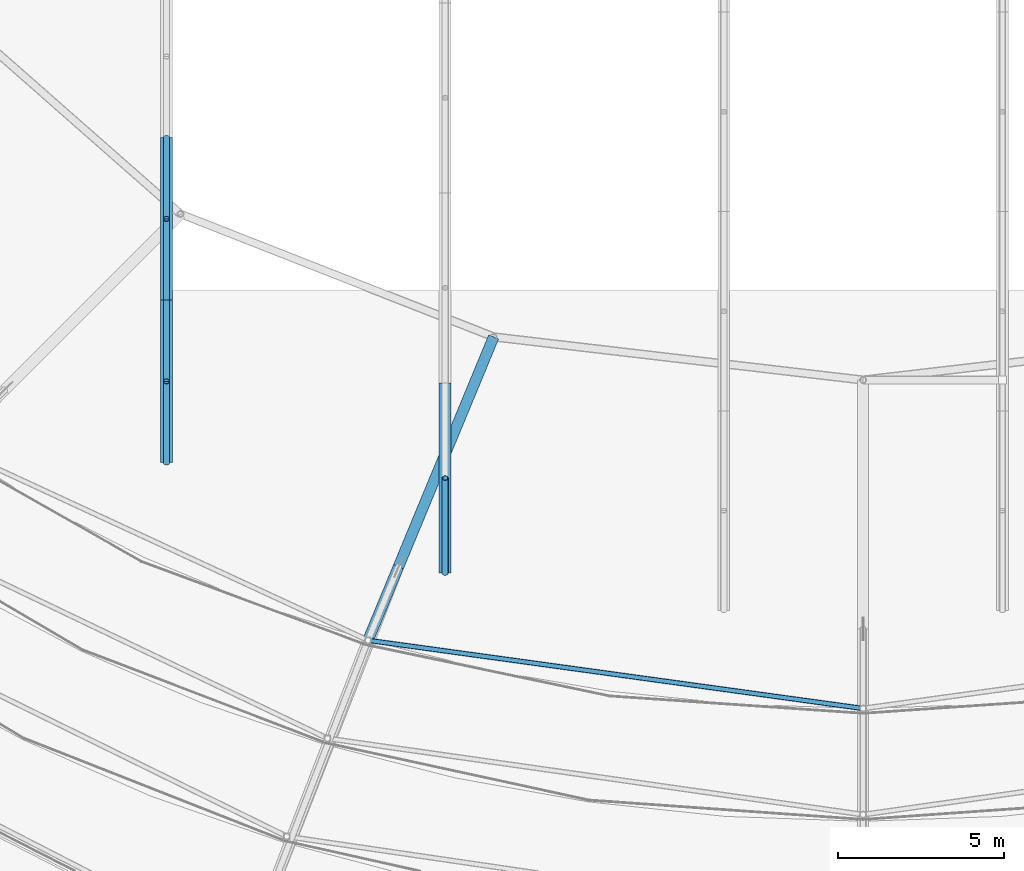
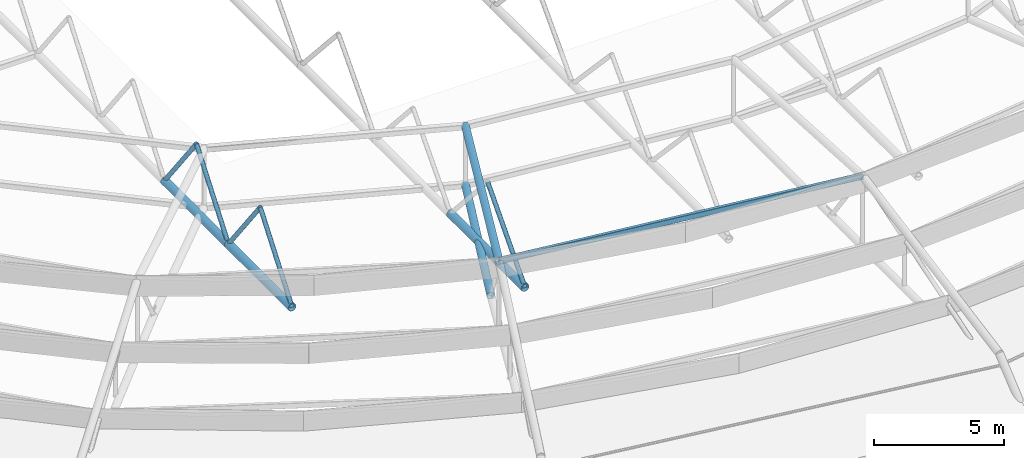
# One storey, part 13 of 134: 10 members, 1 beam.
"""IFC4 building model written with IfcOpenShell, lengths in metres."""

import ifcopenshell
import ifcopenshell.guid

model = None  # the IFC model being written
_history = None  # IfcOwnerHistory: only IFC2X3 demands one
_inside = {}  # id of a spatial element -> (the spatial element, [elements in it])
_under = {}  # id of a project, library or spatial element -> (it, [spatial elements below it])
_declared = {}  # id of a project -> (the project, [libraries it declares])
_typed = {}  # id of a type object -> (the type object, [elements of that type])
_made_of = {}  # id of a material, layer set ... -> (it, [elements and type objects made of it])


def new_model(schema):
    """Start an empty IFC model of exactly this schema.

    Asked for "IFC4X3", IfcOpenShell would pick the latest addendum, in which some entities
    have other attributes; the version numbers below select the first issue.
    IFC2X3 requires an IfcOwnerHistory on every rooted entity: one is made here for all.
    """
    global model, _history
    if schema == "IFC4X3":
        model = ifcopenshell.file(schema_version=(4, 3, 0, 0))
    else:
        model = ifcopenshell.file(schema=schema)
    _inside.clear()
    _under.clear()
    _declared.clear()
    _typed.clear()
    _made_of.clear()
    _history = None
    if model.schema == "IFC2X3":
        org = make("IfcOrganization", Name="unknown")
        user = make(
            "IfcPersonAndOrganization",
            ThePerson=make("IfcPerson", FamilyName="unknown"),
            TheOrganization=org,
        )
        app = make(
            "IfcApplication",
            ApplicationDeveloper=org,
            Version="unknown",
            ApplicationFullName="unknown",
            ApplicationIdentifier="unknown",
        )
        _history = make(
            "IfcOwnerHistory",
            OwningUser=user,
            OwningApplication=app,
            ChangeAction="ADDED",
            CreationDate=0,
        )
    return model


def make(cls, **values):
    """One entity of the class cls with the attributes given. An attribute that is None is left unset."""
    return model.create_entity(
        cls, **{name: value for name, value in values.items() if value is not None}
    )


def rooted(cls, **values):
    """An entity with a GlobalId (a new one), such as an element, a storey or a relation."""
    return make(cls, GlobalId=ifcopenshell.guid.new(), OwnerHistory=_history, **values)


def si_unit(unit_type, name, prefix=None):
    """IfcSIUnit, for example si_unit("LENGTHUNIT", "METRE", prefix="MILLI")."""
    return make("IfcSIUnit", UnitType=unit_type, Prefix=prefix, Name=name)


def derived_unit(unit_type, elements):
    """IfcDerivedUnit: a product of units, each with its exponent."""
    return make(
        "IfcDerivedUnit",
        Elements=[
            make("IfcDerivedUnitElement", Unit=unit, Exponent=power)
            for unit, power in elements
        ],
        UnitType=unit_type,
    )


def assignment(units):
    """IfcUnitAssignment: the units of a project."""
    return None if units is None else make("IfcUnitAssignment", Units=units)


def point(xyz):
    """IfcCartesianPoint."""
    return None if xyz is None else make("IfcCartesianPoint", Coordinates=xyz)


def direction(xyz):
    """IfcDirection."""
    return None if xyz is None else make("IfcDirection", DirectionRatios=xyz)


def frame(location, z_axis=None, x_axis=None):
    """IfcAxis2Placement3D, a coordinate frame: its origin and axes. An axis left out is left unset."""
    return make(
        "IfcAxis2Placement3D",
        Location=point(location),
        Axis=direction(z_axis),
        RefDirection=direction(x_axis),
    )


def frame_2d(location, x_axis=None):
    """IfcAxis2Placement2D, a coordinate frame in the plane: its origin and x axis."""
    return make(
        "IfcAxis2Placement2D", Location=point(location), RefDirection=direction(x_axis)
    )


def origin():
    """The frame at (0, 0, 0) with its axes left unset."""
    return frame((0.0, 0.0, 0.0))


def origin_2d():
    """The frame at (0, 0) in the plane with its x axis left unset."""
    return frame_2d((0.0, 0.0))


def place(relative_to, where):
    """IfcLocalPlacement: puts the frame where relative to a parent placement (None: the world)."""
    return make(
        "IfcLocalPlacement", PlacementRelTo=relative_to, RelativePlacement=where
    )


def context(
    kind, dimensions, precision=None, world=None, true_north=None, identifier=None
):
    """IfcGeometricRepresentationContext, for example the 3D "Model" context."""
    return make(
        "IfcGeometricRepresentationContext",
        ContextIdentifier=identifier,
        ContextType=kind,
        CoordinateSpaceDimension=dimensions,
        Precision=precision,
        WorldCoordinateSystem=world,
        TrueNorth=true_north,
    )


def subcontext(parent, identifier, kind, view, scale=None):
    """IfcGeometricRepresentationSubContext, for example "Body" below "Model"."""
    return make(
        "IfcGeometricRepresentationSubContext",
        ContextIdentifier=identifier,
        ContextType=kind,
        ParentContext=parent,
        TargetScale=scale,
        TargetView=view,
    )


def project(units=None, contexts=None):
    """IfcProject with its units and contexts."""
    return rooted(
        "IfcProject",
        Name="project",
        RepresentationContexts=contexts,
        UnitsInContext=assignment(units),
    )


def spatial(cls, under=None, at=None, **own):
    """A site, building, storey or space (cls), placed at a placement, below another one or the project."""
    s = rooted(cls, ObjectPlacement=at, **own)
    if under is not None:
        _under.setdefault(under.id(), (under, []))[1].append(s)
    return s


def profile(cls, at=None, kind="AREA", **sizes):
    """A parametric profile (cls). Its sizes go by their IFC names, for example OverallWidth=200.0."""
    return make(cls, ProfileType=kind, Position=at, **sizes)


def hollow_rectangle(**sizes):
    """IfcRectangleHollowProfileDef."""
    return profile("IfcRectangleHollowProfileDef", **sizes)


def hollow_circle(**sizes):
    """IfcCircleHollowProfileDef."""
    return profile("IfcCircleHollowProfileDef", **sizes)


def extrude(swept, where, along, depth):
    """IfcExtrudedAreaSolid: the profile swept, set in the frame where, extruded along a direction by depth."""
    return make(
        "IfcExtrudedAreaSolid",
        SweptArea=swept,
        Position=where,
        ExtrudedDirection=direction(along),
        Depth=depth,
    )


def shape(context_of_items, identifier, shape_type, items):
    """IfcShapeRepresentation: the items that make up one representation, for example the "Body"."""
    return make(
        "IfcShapeRepresentation",
        ContextOfItems=context_of_items,
        RepresentationIdentifier=identifier,
        RepresentationType=shape_type,
        Items=items,
    )


def material(Name=None, Category=None):
    """IfcMaterial."""
    return make("IfcMaterial", Name=Name, Category=Category)


def material_profile(
    of_material, cross_section, Name=None, Category=None, Priority=None
):
    """IfcMaterialProfile: a cross section and its material."""
    return make(
        "IfcMaterialProfile",
        Name=Name,
        Material=of_material,
        Profile=cross_section,
        Priority=Priority,
        Category=Category,
    )


def profile_set(profiles, Name=None, composite=None):
    """IfcMaterialProfileSet."""
    return make(
        "IfcMaterialProfileSet",
        Name=Name,
        MaterialProfiles=profiles,
        CompositeProfile=composite,
    )


def made_of(thing, what):
    """Note that an element or type object is made of a material, layer set ...; save() writes the relation."""
    if what is not None:
        _made_of.setdefault(what.id(), (what, []))[1].append(thing)
    return thing


def type_object(cls, material=None, **own):
    """A type object (cls), such as IfcWallType, which elements share."""
    return made_of(rooted(cls, **own), material)


def element(
    cls,
    number,
    at=None,
    inside=None,
    cuts=None,
    type_object=None,
    material=None,
    context=None,
    identifier="Body",
    shape_type=None,
    held_by="IfcProductDefinitionShape",
    body=None,
    shapes=None,
    **own,
):
    """One element of the class cls, such as IfcWall. Its Tag is "e" and its number.

    at: its placement. inside: the storey or other place that contains it. cuts: it is an
    opening in that element (IfcRelVoidsElement). A single representation is given by context,
    identifier, shape_type and body (its items); several are given by shapes. held_by: the class
    of the entity that holds the representations. save() writes the other relations.
    """
    e = rooted(cls, Tag="e%d" % number, ObjectPlacement=at, **own)
    if body is not None:
        shapes = [shape(context, identifier, shape_type, body)]
    if shapes is not None:
        e.Representation = make(held_by, Representations=shapes)
    if inside is not None:
        _inside.setdefault(inside.id(), (inside, []))[1].append(e)
    if cuts is not None:
        rooted(
            "IfcRelVoidsElement", RelatingBuildingElement=cuts, RelatedOpeningElement=e
        )
    if type_object is not None:
        _typed.setdefault(type_object.id(), (type_object, []))[1].append(e)
    return made_of(e, material)


def aggregate(whole, parts):
    """IfcRelAggregates: a whole, such as a stair, and the parts it consists of."""
    return rooted("IfcRelAggregates", RelatingObject=whole, RelatedObjects=parts)


def save(model, path):
    """Write the relations noted so far, then the file.

    IfcRelAggregates (storeys below a building ...), IfcRelContainedInSpatialStructure (elements
    in a storey), IfcRelDefinesByType, IfcRelAssociatesMaterial and IfcRelDeclares: one each for
    every whole, place, type object, material and project.
    """
    for whole, parts in _under.values():
        aggregate(whole, parts)
    for where, things in _inside.values():
        rooted(
            "IfcRelContainedInSpatialStructure",
            RelatedElements=things,
            RelatingStructure=where,
        )
    for kind, things in _typed.values():
        rooted("IfcRelDefinesByType", RelatedObjects=things, RelatingType=kind)
    for what, things in _made_of.values():
        rooted("IfcRelAssociatesMaterial", RelatedObjects=things, RelatingMaterial=what)
    for by, libraries in _declared.values():
        rooted("IfcRelDeclares", RelatingContext=by, RelatedDefinitions=libraries)
    model.write(path)


model = new_model("IFC4")

# Units and contexts
model_context = context("Model", 3, precision=1e-05, world=origin(), true_north=direction((0.0, 1.0)))
body_context = subcontext(model_context, "Body", "Model", "MODEL_VIEW")
ifc_project = project(units=[si_unit("LENGTHUNIT", "METRE"), si_unit("AREAUNIT", "SQUARE_METRE"), si_unit("VOLUMEUNIT", "CUBIC_METRE"), si_unit("PLANEANGLEUNIT", "RADIAN"), si_unit("MASSUNIT", "GRAM", prefix="KILO"), derived_unit("THERMALTRANSMITTANCEUNIT", [(si_unit("MASSUNIT", "GRAM", prefix="KILO"), 1), (si_unit("TIMEUNIT", "SECOND"), -3), (si_unit("THERMODYNAMICTEMPERATUREUNIT", "KELVIN"), -1)])], contexts=[model_context])

# Site, building, storey
site_placement = place(None, origin())
site = spatial("IfcSite", under=ifc_project, at=site_placement, CompositionType="ELEMENT")
building_placement = place(site_placement, origin())
building = spatial("IfcBuilding", under=site, at=building_placement, Name="Kharveza Railside Sports Centre", CompositionType="ELEMENT")
storey_placement = place(building_placement, frame((0.0, 0.0, 12.89990234375)))
storey = spatial("IfcBuildingStorey", under=building, at=storey_placement, Name="L03", CompositionType="ELEMENT", Elevation=12.89990234375)

# Beam
ifc_material = material(Name="Steel S355J2", Category="steel")
ifc_material_profile_1 = material_profile(ifc_material, hollow_rectangle(XDim=0.14990234375, YDim=0.25, WallThickness=0.010009765625, InnerFilletRadius=0.010009765625, OuterFilletRadius=0.02001953125, at=origin_2d()), Name="RHS 150x250x10.0")
ifc_profile_set_1 = profile_set([ifc_material_profile_1], Name="Steel S355J2")
beam_type = type_object("IfcBeamType", Name="BM-SP04", PredefinedType="SPANDREL", material=ifc_profile_set_1)
beam_placement = place(storey_placement, frame((39.67529296875, 25.455322265625, 3.255126953125), z_axis=(0.990649622581, -0.13643066107, 0.0), x_axis=(0.13643066107, 0.990649622581, 0.0)))
element("IfcBeam", 1, at=beam_placement, inside=storey, type_object=beam_type, Name="BM-LIDRING-S4-12", PredefinedType="SPANDREL", context=body_context, shape_type="SweptSolid", body=[
    extrude(hollow_rectangle(XDim=0.14990234375, YDim=0.25, WallThickness=0.010009765625, InnerFilletRadius=0.010009765625, OuterFilletRadius=0.02001953125, at=origin_2d()), origin(), (0.0, 0.0, 1.0), 15.065673828125),
])

# Members
ifc_material_profile_2 = material_profile(ifc_material, hollow_circle(Radius=0.177734375, WallThickness=0.01611328125, at=origin_2d()), Name="CHS 355.6x16.0")
ifc_profile_set_2 = profile_set([ifc_material_profile_2], Name="Steel S355J2")
member_type_1 = type_object("IfcMemberType", Name="MB-CH01", PredefinedType="CHORD", material=ifc_profile_set_2)
member_1_placement = place(storey_placement, frame((33.60009765625, 30.8134765625, -0.0498046875), z_axis=(0.0, 1.0, 0.0), x_axis=(-1.0, 0.0, 0.0)))
element("IfcMember", 2, at=member_1_placement, inside=storey, type_object=member_type_1, Name="MB-V1TR-BC-1-1", PredefinedType="CHORD", context=body_context, shape_type="SweptSolid", body=[
    extrude(hollow_circle(Radius=0.177734375, WallThickness=0.01611328125, at=origin_2d()), origin(), (0.0, 0.0, 1.0), 4.896728515625),
])
member_2_placement = place(storey_placement, frame((33.60009765625, 35.710205078125, -0.0498046875), z_axis=(0.0, 1.0, 0.0), x_axis=(-1.0, 0.0, 0.0)))
element("IfcMember", 3, at=member_2_placement, inside=storey, type_object=member_type_1, Name="MB-V1TR-BC-1-2", PredefinedType="CHORD", context=body_context, shape_type="SweptSolid", body=[
    extrude(hollow_circle(Radius=0.177734375, WallThickness=0.01611328125, at=origin_2d()), origin(), (0.0, 0.0, 1.0), 4.896484375),
])
member_3_placement = place(storey_placement, frame((42.0, 27.484619140625, -0.0498046875), z_axis=(0.0, 1.0, 0.0), x_axis=(-1.0, 0.0, 0.0)))
element("IfcMember", 4, at=member_3_placement, inside=storey, type_object=member_type_1, Name="MB-V1TR-BC-2-1", PredefinedType="CHORD", context=body_context, shape_type="SweptSolid", body=[
    extrude(hollow_circle(Radius=0.177734375, WallThickness=0.01611328125, at=origin_2d()), origin(), (0.0, 0.0, 1.0), 5.728759765625),
])
ifc_material_profile_3 = material_profile(ifc_material, hollow_circle(Radius=0.161865234375, WallThickness=0.01611328125, at=origin_2d()), Name="CHS 323.9x16.0")
ifc_profile_set_3 = profile_set([ifc_material_profile_3], Name="Steel S355J2")
member_type_2 = type_object("IfcMemberType", Name="MB-CH02", PredefinedType="CHORD", material=ifc_profile_set_3)
member_4_placement = place(storey_placement, frame((43.4638671875, 34.601806640625, -0.0498046875), z_axis=(-0.382677616283, -0.92388194159, 0.0), x_axis=(0.92388194159, -0.382677616283, 0.0)))
element("IfcMember", 5, at=member_4_placement, inside=storey, type_object=member_type_2, Name="MB-OUT-BC1-12", PredefinedType="CHORD", context=body_context, shape_type="SweptSolid", body=[
    extrude(hollow_circle(Radius=0.161865234375, WallThickness=0.01611328125, at=origin_2d()), origin(), (0.0, 0.0, 1.0), 7.5),
])
member_5_placement = place(storey_placement, frame((43.4638671875, 34.601806640625, 2.7001953125), z_axis=(-0.382092624756, -0.922458956943, 0.055449967196), x_axis=(0.923880377367, -0.382681392697, 0.0)))
element("IfcMember", 6, at=member_5_placement, inside=storey, type_object=member_type_2, Name="MB-OUT-TC1-12", PredefinedType="CHORD", context=body_context, shape_type="SweptSolid", body=[
    extrude(hollow_circle(Radius=0.161865234375, WallThickness=0.01611328125, at=origin_2d()), origin(), (0.0, 0.0, 1.0), 9.915283203125),
])
ifc_material_profile_4 = material_profile(ifc_material, hollow_circle(Radius=0.096923828125, WallThickness=0.010009765625, at=origin_2d()), Name="CHS 193.7x10.0")
ifc_profile_set_4 = profile_set([ifc_material_profile_4], Name="Steel S355J2")
member_type_3 = type_object("IfcMemberType", Name="MB-ST02", PredefinedType="STRUT", material=ifc_profile_set_4)
member_6_placement = place(storey_placement, frame((33.60009765625, 30.8134765625, -0.0498046875), z_axis=(0.0, 0.60764126683, 0.794211615909), x_axis=(-1.0, 0.0, 0.0)))
element("IfcMember", 7, at=member_6_placement, inside=storey, type_object=member_type_3, Name="MB-V1TR-D1-1-1", PredefinedType="STRUT", context=body_context, shape_type="SweptSolid", body=[
    extrude(hollow_circle(Radius=0.096923828125, WallThickness=0.010009765625, at=origin_2d()), origin(), (0.0, 0.0, 1.0), 4.029052734375),
])
member_7_placement = place(storey_placement, frame((33.60009765625, 33.26171875, 3.150146484375), z_axis=(0.0, 0.607679486015, -0.794182373436), x_axis=(-1.0, 0.0, 0.0)))
element("IfcMember", 8, at=member_7_placement, inside=storey, type_object=member_type_3, Name="MB-V1TR-D2-1-1", PredefinedType="STRUT", context=body_context, shape_type="SweptSolid", body=[
    extrude(hollow_circle(Radius=0.096923828125, WallThickness=0.010009765625, at=origin_2d()), origin(), (0.0, 0.0, 1.0), 4.029296875),
])
for number, where, z_axis, x_axis, name in (
    (9, (33.60009765625, 35.710205078125, -0.0498046875), (0.0, 0.60764126683, 0.794211615909), (-1.0, 0.0, 0.0), "MB-V1TR-D1-1-2"),
    (10, (33.60009765625, 38.158447265625, 3.150146484375), (0.0, 0.60764126683, -0.794211615909), (-1.0, 0.0, 0.0), "MB-V1TR-D2-1-2"),
):
    element("IfcMember", number, at=place(storey_placement, frame(where, z_axis=z_axis, x_axis=x_axis)), inside=storey, type_object=member_type_3, Name=name, PredefinedType="STRUT", context=body_context, shape_type="SweptSolid", body=[
        extrude(hollow_circle(Radius=0.096923828125, WallThickness=0.010009765625, at=origin_2d()), origin(), (0.0, 0.0, 1.0), 4.029052734375),
    ])
member_8_placement = place(storey_placement, frame((42.0, 27.484619140625, -0.0498046875), z_axis=(0.0, 0.666974298635, 0.745080723788), x_axis=(-1.0, 0.0, 0.0)))
element("IfcMember", 11, at=member_8_placement, inside=storey, type_object=member_type_3, Name="MB-V1TR-D1-2-1", PredefinedType="STRUT", context=body_context, shape_type="SweptSolid", body=[
    extrude(hollow_circle(Radius=0.096923828125, WallThickness=0.010009765625, at=origin_2d()), origin(), (0.0, 0.0, 1.0), 4.294677734375),
])

save(model, "model.ifc")
